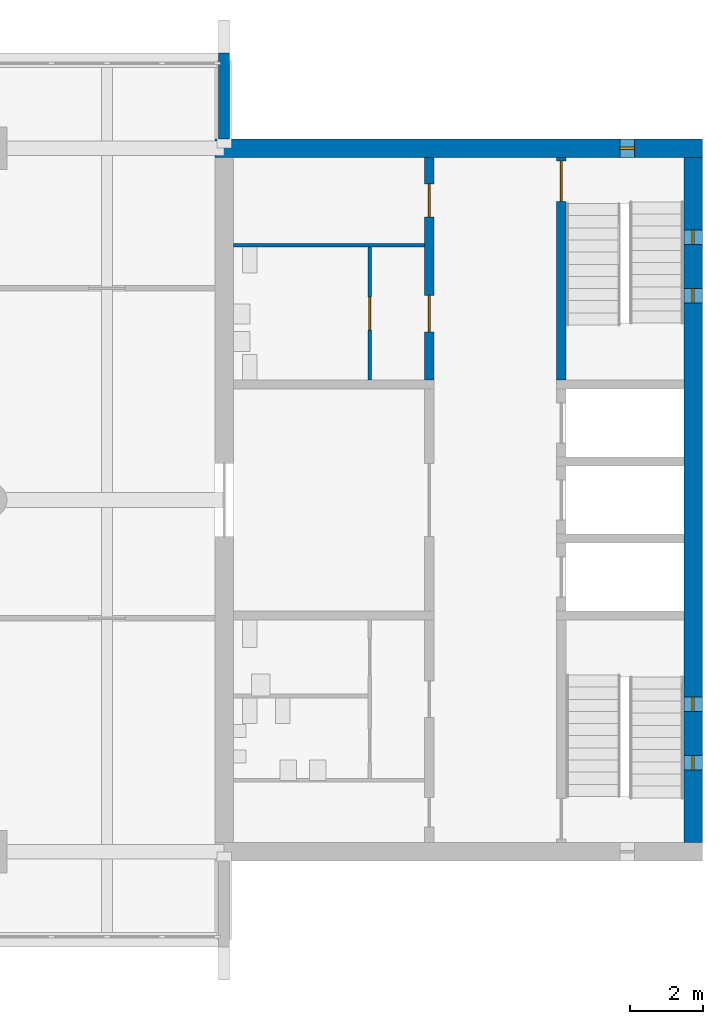
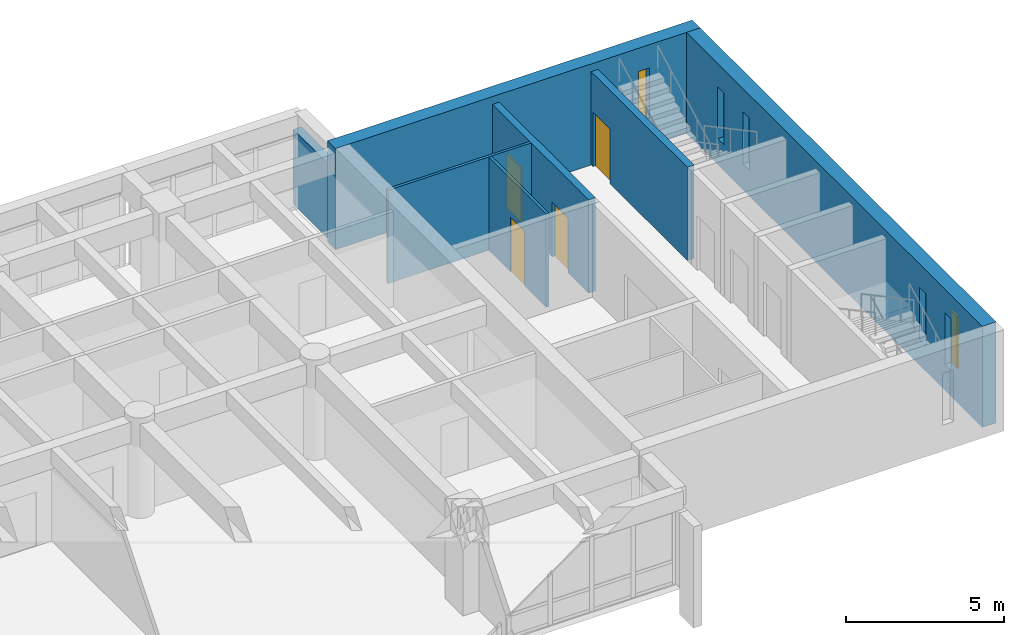
# One storey, part 12 of 15: 7 walls, 5 windows, 4 doors, 9 openings.
"""IFC4 building model written with IfcOpenShell, lengths in metres."""

from ifc_helpers import new_model, si_unit, direction, frame, frame_2d, origin, place, context, subcontext, project, spatial, rectangle, extrude, material, layer, layer_set, type_object, element, fill, save


model = new_model("IFC4")

# Units and contexts
model_context = context("Model", 3, precision=1e-05, world=origin(), true_north=direction((0.0, 1.0)))
body_context = subcontext(model_context, "Body", "Model", "MODEL_VIEW")
ifc_project = project(units=[si_unit("LENGTHUNIT", "METRE"), si_unit("AREAUNIT", "SQUARE_METRE"), si_unit("VOLUMEUNIT", "CUBIC_METRE"), si_unit("PLANEANGLEUNIT", "RADIAN"), si_unit("MASSUNIT", "GRAM", prefix="KILO")], contexts=[model_context])

# Site, building, storey
site_placement = place(None, origin())
site = spatial("IfcSite", under=ifc_project, at=site_placement, CompositionType="ELEMENT")
building_placement = place(site_placement, origin())
building = spatial("IfcBuilding", under=site, at=building_placement, Name="Fogon Plaza Fire Station and Headquarters Tower", CompositionType="ELEMENT")
storey_placement = place(building_placement, frame((0.0, 0.0, 40.5)))
storey = spatial("IfcBuildingStorey", under=building, at=storey_placement, Name="L10", CompositionType="ELEMENT", Elevation=40.5)

# Wall, opening, door
ifc_material_1 = material(Name="Concrete C40", Category="concrete")
ifc_layer_1 = layer(ifc_material_1, 0.25)
ifc_layer_set_1 = layer_set([ifc_layer_1], Name="Concrete C40")
wall_type_1 = type_object("IfcWallType", Name="Core Wall RC 250", PredefinedType="SOLIDWALL", material=ifc_layer_set_1)
wall_1_placement = place(storey_placement, frame((73.199951171875, 46.47509765625, 0.0), z_axis=(0.0, 0.0, 1.0), x_axis=(0.0, 1.0, 0.0)))
wall_1 = element("IfcWall", 1, at=wall_1_placement, inside=storey, type_object=wall_type_1, Name="Core B shaft wall", PredefinedType="SOLIDWALL", context=body_context, shape_type="SweptSolid", body=[
    extrude(rectangle(XDim=6.074951171875, YDim=0.25, at=frame_2d((3.03759765625, 0.0))), origin(), (0.0, 0.0, 1.0), 3.60009765625),
])
opening_1_placement = place(wall_1_placement, frame((4.875, 0.0, 0.0)))
opening_1 = element("IfcOpeningElement", 2, at=opening_1_placement, cuts=wall_1, Name="Opening L10-D16", PredefinedType="OPENING", context=body_context, shape_type="SweptSolid", body=[
    extrude(rectangle(XDim=1.10009765625, YDim=2.10009765625, at=frame_2d((0.550048828125, 1.050048828125))), frame((0.0, 0.135009765625, 0.0), z_axis=(0.0, -1.0, 0.0), x_axis=(1.0, 0.0, 0.0)), (0.0, 0.0, 1.0), 0.27001953125),
])
ifc_material_2 = material(Name="Steel Fire Door Leaf", Category="steel")
door_type_1 = type_object("IfcDoorType", Name="Stair Door Single 1100x2100", OperationType="SINGLE_SWING_LEFT", PredefinedType="DOOR", material=ifc_material_2)
door_1_placement = place(opening_1_placement, frame((1.10009765625, 0.0, 0.0), z_axis=(0.0, 0.0, 1.0), x_axis=(-1.0, 0.0, 0.0)))
door_1 = element("IfcDoor", 3, at=door_1_placement, inside=storey, type_object=door_type_1, Name="Stair door ST4", OperationType="SINGLE_SWING_LEFT", OverallHeight=2.10009765625, OverallWidth=1.10009765625, PredefinedType="DOOR", context=body_context, shape_type="SweptSolid", body=[
    extrude(rectangle(XDim=1.10009765625, YDim=2.10009765625, at=frame_2d((0.550048828125, 1.050048828125))), frame((0.0, 0.02490234375, 0.0), z_axis=(0.0, -1.0, 0.0), x_axis=(1.0, 0.0, 0.0)), (0.0, 0.0, 1.0), 0.050048828125),
])
fill(opening_1, door_1)

# Wall, openings, doors
wall_2_placement = place(storey_placement, frame((69.60009765625, 46.47509765625, 0.0), z_axis=(0.0, 0.0, 1.0), x_axis=(0.0, 1.0, 0.0)))
wall_2 = element("IfcWall", 4, at=wall_2_placement, inside=storey, type_object=wall_type_1, Name="Core B shaft wall", PredefinedType="SOLIDWALL", context=body_context, shape_type="SweptSolid", body=[
    extrude(rectangle(XDim=6.074951171875, YDim=0.25, at=frame_2d((3.03759765625, 0.0))), origin(), (0.0, 0.0, 1.0), 3.60009765625),
])
opening_2_placement = place(wall_2_placement, frame((1.3125, 0.0, 0.0)))
opening_2 = element("IfcOpeningElement", 5, at=opening_2_placement, cuts=wall_2, Name="Opening L10-D26", PredefinedType="OPENING", context=body_context, shape_type="SweptSolid", body=[
    extrude(rectangle(XDim=1.0, YDim=2.10009765625, at=frame_2d((0.5, 1.050048828125))), frame((0.0, 0.135009765625, 0.0), z_axis=(0.0, -1.0, 0.0), x_axis=(1.0, 0.0, 0.0)), (0.0, 0.0, 1.0), 0.27001953125),
])
opening_3_placement = place(wall_2_placement, frame((4.449951171875, 0.0, 0.0)))
opening_3 = element("IfcOpeningElement", 6, at=opening_3_placement, cuts=wall_2, Name="Opening L10-D28", PredefinedType="OPENING", context=body_context, shape_type="SweptSolid", body=[
    extrude(rectangle(XDim=0.89990234375, YDim=2.10009765625, at=frame_2d((0.449951171875, 1.050048828125))), frame((0.0, 0.135009765625, 0.0), z_axis=(0.0, -1.0, 0.0), x_axis=(1.0, 0.0, 0.0)), (0.0, 0.0, 1.0), 0.27001953125),
])
ifc_material_3 = material(Name="Steel Fire Door Leaf", Category="steel")
door_type_2 = type_object("IfcDoorType", Name="Riser Single 900x2100", OperationType="SINGLE_SWING_LEFT", PredefinedType="DOOR", material=ifc_material_3)
door_2_placement = place(opening_3_placement, origin())
door_2 = element("IfcDoor", 7, at=door_2_placement, inside=storey, type_object=door_type_2, Name="Riser room B door", OperationType="SINGLE_SWING_RIGHT", OverallHeight=2.10009765625, OverallWidth=0.89990234375, PredefinedType="DOOR", context=body_context, shape_type="SweptSolid", body=[
    extrude(rectangle(XDim=0.89990234375, YDim=2.10009765625, at=frame_2d((0.449951171875, 1.050048828125))), frame((0.0, 0.02490234375, 0.0), z_axis=(0.0, -1.0, 0.0), x_axis=(1.0, 0.0, 0.0)), (0.0, 0.0, 1.0), 0.050048828125),
])
fill(opening_3, door_2)
ifc_material_4 = material(Name="Timber fire door", Category="wood")
door_type_3 = type_object("IfcDoorType", Name="WC Lobby Single 1000x2100", OperationType="SINGLE_SWING_LEFT", PredefinedType="DOOR", material=ifc_material_4)
door_3_placement = place(opening_2_placement, origin())
door_3 = element("IfcDoor", 8, at=door_3_placement, inside=storey, type_object=door_type_3, Name="Women's WC lobby B door", OperationType="SINGLE_SWING_RIGHT", OverallHeight=2.10009765625, OverallWidth=1.0, PredefinedType="DOOR", context=body_context, shape_type="SweptSolid", body=[
    extrude(rectangle(XDim=1.0, YDim=2.10009765625, at=frame_2d((0.5, 1.050048828125))), frame((0.0, 0.02490234375, 0.0), z_axis=(0.0, -1.0, 0.0), x_axis=(1.0, 0.0, 0.0)), (0.0, 0.0, 1.0), 0.050048828125),
])
fill(opening_2, door_3)

# Wall
ifc_material_5 = material(Name="Concrete C40", Category="concrete")
ifc_layer_2 = layer(ifc_material_5, 0.300048828125)
ifc_layer_set_2 = layer_set([ifc_layer_2], Name="Concrete C40")
wall_type_2 = type_object("IfcWallType", Name="Fair-faced RC Return Panel 300", PredefinedType="SOLIDWALL", material=ifc_layer_set_2)
wall_3_placement = place(storey_placement, frame((64.0, 53.050048828125, 0.0), z_axis=(0.0, 0.0, 1.0), x_axis=(0.0, 1.0, 0.0)))
element("IfcWall", 9, at=wall_3_placement, inside=storey, type_object=wall_type_2, Name="Bar end return EN L10", PredefinedType="SOLIDWALL", context=body_context, shape_type="SweptSolid", body=[
    extrude(rectangle(XDim=2.349853515625, YDim=0.300048828125, at=frame_2d((1.1748046875, 0.0))), origin(), (0.0, 0.0, 1.0), 2.8798828125),
])

# Wall, opening, door
ifc_material_6 = material(Name="Blockwork", Category="masonry")
ifc_layer_3 = layer(ifc_material_6, 0.10009765625)
ifc_layer_set_3 = layer_set([ifc_layer_3], Name="Blockwork")
wall_type_3 = type_object("IfcWallType", Name="Partition Blockwork 100", PredefinedType="PARTITIONING", material=ifc_layer_set_3)
wall_4_placement = place(storey_placement, frame((67.97509765625, 46.47509765625, 0.0), z_axis=(0.0, 0.0, 1.0), x_axis=(0.0, 1.0, 0.0)))
wall_4 = element("IfcWall", 10, at=wall_4_placement, inside=storey, type_object=wall_type_3, Name="WC block partition", PredefinedType="PARTITIONING", context=body_context, shape_type="SweptSolid", body=[
    extrude(rectangle(XDim=3.625, YDim=0.10009765625, at=frame_2d((1.8125, 0.0))), origin(), (0.0, 0.0, 1.0), 3.60009765625),
])
opening_4_placement = place(wall_4_placement, frame((1.362548828125, 0.0, 0.0)))
opening_4 = element("IfcOpeningElement", 11, at=opening_4_placement, cuts=wall_4, Name="Opening L10-D27", PredefinedType="OPENING", context=body_context, shape_type="SweptSolid", body=[
    extrude(rectangle(XDim=0.89990234375, YDim=2.10009765625, at=frame_2d((0.449951171875, 1.050048828125))), frame((0.0, 0.06005859375, 0.0), z_axis=(0.0, -1.0, 0.0), x_axis=(1.0, 0.0, 0.0)), (0.0, 0.0, 1.0), 0.1201171875),
])
ifc_material_7 = material(Name="Timber Door Leaf", Category="wood")
door_type_4 = type_object("IfcDoorType", Name="WC Single 900x2100", OperationType="SINGLE_SWING_LEFT", PredefinedType="DOOR", material=ifc_material_7)
door_4_placement = place(opening_4_placement, origin())
door_4 = element("IfcDoor", 12, at=door_4_placement, inside=storey, type_object=door_type_4, Name="Women's WC B door", OperationType="SINGLE_SWING_LEFT", OverallHeight=2.10009765625, OverallWidth=0.89990234375, PredefinedType="DOOR", context=body_context, shape_type="SweptSolid", body=[
    extrude(rectangle(XDim=0.89990234375, YDim=2.10009765625, at=frame_2d((0.449951171875, 1.050048828125))), frame((0.0, 0.02490234375, 0.0), z_axis=(0.0, -1.0, 0.0), x_axis=(1.0, 0.0, 0.0)), (0.0, 0.0, 1.0), 0.050048828125),
])
fill(opening_4, door_4)

# Wall
ifc_material_8 = material(Name="Blockwork", Category="masonry")
ifc_layer_4 = layer(ifc_material_8, 0.10009765625)
ifc_layer_set_4 = layer_set([ifc_layer_4], Name="Blockwork")
wall_type_4 = type_object("IfcWallType", Name="Riser Partition Blockwork 100", PredefinedType="PARTITIONING", material=ifc_layer_set_4)
wall_5_placement = place(storey_placement, frame((69.47509765625, 50.14990234375, 0.0), z_axis=(0.0, 0.0, 1.0), x_axis=(-1.0, 0.0, 0.0)))
element("IfcWall", 13, at=wall_5_placement, inside=storey, type_object=wall_type_4, Name="Riser room partition", PredefinedType="PARTITIONING", context=body_context, shape_type="SweptSolid", body=[
    extrude(rectangle(XDim=5.22509765625, YDim=0.10009765625, at=frame_2d((2.612548828125, 0.0))), origin(), (0.0, 0.0, 1.0), 3.60009765625),
])

# Wall, opening, window
ifc_material_9 = material(Name="Concrete C40", Category="concrete")
ifc_layer_5 = layer(ifc_material_9, 0.5)
ifc_layer_set_5 = layer_set([ifc_layer_5], Name="Concrete C40")
wall_type_5 = type_object("IfcWallType", Name="Shear wall 500 SW50", PredefinedType="SHEAR", material=ifc_layer_set_5)
wall_6_placement = place(storey_placement, frame((63.75, 52.800048828125, 0.0), z_axis=(0.0, 0.0, 1.0), x_axis=(1.0, 0.0, 0.0)))
wall_6 = element("IfcWall", 14, at=wall_6_placement, inside=storey, type_object=wall_type_5, Name="wall-coreB-N-L10", PredefinedType="SHEAR", context=body_context, shape_type="SweptSolid", body=[
    extrude(rectangle(XDim=13.300048828125, YDim=0.5, at=frame_2d((6.64990234375, 0.0))), origin(), (0.0, 0.0, 1.0), 3.89990234375),
])
opening_5_placement = place(wall_6_placement, frame((11.050048828125, 0.0, 1.0)))
opening_5 = element("IfcOpeningElement", 15, at=opening_5_placement, cuts=wall_6, Name="Opening WS1", PredefinedType="OPENING", context=body_context, shape_type="SweptSolid", body=[
    extrude(rectangle(XDim=0.39990234375, YDim=2.0, at=frame_2d((0.199951171875, 1.0))), frame((0.0, 0.260009765625, 0.0), z_axis=(0.0, -1.0, 0.0), x_axis=(1.0, 0.0, 0.0)), (0.0, 0.0, 1.0), 0.52001953125),
])
ifc_material_10 = material(Name="Aluminium framed double glazing", Category="aluminium")
window_type = type_object("IfcWindowType", Name="Slit Window WS1 400x2000", PartitioningType="SINGLE_PANEL", PredefinedType="WINDOW", material=ifc_material_10)
window_1_placement = place(opening_5_placement, origin())
window_1 = element("IfcWindow", 16, at=window_1_placement, inside=storey, type_object=window_type, Name="Slit window B6 L10", OverallHeight=2.0, OverallWidth=0.39990234375, PartitioningType="SINGLE_PANEL", PredefinedType="WINDOW", context=body_context, shape_type="SweptSolid", body=[
    extrude(rectangle(XDim=0.39990234375, YDim=2.0, at=frame_2d((0.199951171875, 1.0))), frame((0.0, 0.030029296875, 0.0), z_axis=(0.0, -1.0, 0.0), x_axis=(1.0, 0.0, 0.0)), (0.0, 0.0, 1.0), 0.06005859375),
])
fill(opening_5, window_1)

# Wall, openings, windows
wall_7_placement = place(storey_placement, frame((76.800048828125, 33.85009765625, 0.0), z_axis=(0.0, 0.0, 1.0), x_axis=(0.0, 1.0, 0.0)))
wall_7 = element("IfcWall", 17, at=wall_7_placement, inside=storey, type_object=wall_type_5, Name="wall-coreB-E-L10", PredefinedType="SHEAR", context=body_context, shape_type="SweptSolid", body=[
    extrude(rectangle(XDim=18.699951171875, YDim=0.5, at=frame_2d((9.35009765625, 0.0))), origin(), (0.0, 0.0, 1.0), 3.89990234375),
])
opening_6_placement = place(wall_7_placement, frame((1.97509765625, 0.0, 1.0)))
opening_6 = element("IfcOpeningElement", 18, at=opening_6_placement, cuts=wall_7, Name="Opening WS1", PredefinedType="OPENING", context=body_context, shape_type="SweptSolid", body=[
    extrude(rectangle(XDim=0.39990234375, YDim=2.0, at=frame_2d((0.199951171875, 1.0))), frame((0.0, 0.260009765625, 0.0), z_axis=(0.0, -1.0, 0.0), x_axis=(1.0, 0.0, 0.0)), (0.0, 0.0, 1.0), 0.52001953125),
])
opening_7_placement = place(wall_7_placement, frame((3.574951171875, 0.0, 1.0)))
opening_7 = element("IfcOpeningElement", 19, at=opening_7_placement, cuts=wall_7, Name="Opening WS1", PredefinedType="OPENING", context=body_context, shape_type="SweptSolid", body=[
    extrude(rectangle(XDim=0.39990234375, YDim=2.0, at=frame_2d((0.199951171875, 1.0))), frame((0.0, 0.260009765625, 0.0), z_axis=(0.0, -1.0, 0.0), x_axis=(1.0, 0.0, 0.0)), (0.0, 0.0, 1.0), 0.52001953125),
])
opening_8_placement = place(wall_7_placement, frame((14.72509765625, 0.0, 1.0)))
opening_8 = element("IfcOpeningElement", 20, at=opening_8_placement, cuts=wall_7, Name="Opening WS1", PredefinedType="OPENING", context=body_context, shape_type="SweptSolid", body=[
    extrude(rectangle(XDim=0.39990234375, YDim=2.0, at=frame_2d((0.199951171875, 1.0))), frame((0.0, 0.260009765625, 0.0), z_axis=(0.0, -1.0, 0.0), x_axis=(1.0, 0.0, 0.0)), (0.0, 0.0, 1.0), 0.52001953125),
])
opening_9_placement = place(wall_7_placement, frame((16.324951171875, 0.0, 1.0)))
opening_9 = element("IfcOpeningElement", 21, at=opening_9_placement, cuts=wall_7, Name="Opening WS1", PredefinedType="OPENING", context=body_context, shape_type="SweptSolid", body=[
    extrude(rectangle(XDim=0.39990234375, YDim=2.0, at=frame_2d((0.199951171875, 1.0))), frame((0.0, 0.260009765625, 0.0), z_axis=(0.0, -1.0, 0.0), x_axis=(1.0, 0.0, 0.0)), (0.0, 0.0, 1.0), 0.52001953125),
])
window_2_placement = place(opening_6_placement, origin())
window_2 = element("IfcWindow", 22, at=window_2_placement, inside=storey, type_object=window_type, Name="Slit window B1 L10", OverallHeight=2.0, OverallWidth=0.39990234375, PartitioningType="SINGLE_PANEL", PredefinedType="WINDOW", context=body_context, shape_type="SweptSolid", body=[
    extrude(rectangle(XDim=0.39990234375, YDim=2.0, at=frame_2d((0.199951171875, 1.0))), frame((0.0, 0.030029296875, 0.0), z_axis=(0.0, -1.0, 0.0), x_axis=(1.0, 0.0, 0.0)), (0.0, 0.0, 1.0), 0.06005859375),
])
fill(opening_6, window_2)
window_3_placement = place(opening_7_placement, origin())
window_3 = element("IfcWindow", 23, at=window_3_placement, inside=storey, type_object=window_type, Name="Slit window B2 L10", OverallHeight=2.0, OverallWidth=0.39990234375, PartitioningType="SINGLE_PANEL", PredefinedType="WINDOW", context=body_context, shape_type="SweptSolid", body=[
    extrude(rectangle(XDim=0.39990234375, YDim=2.0, at=frame_2d((0.199951171875, 1.0))), frame((0.0, 0.030029296875, 0.0), z_axis=(0.0, -1.0, 0.0), x_axis=(1.0, 0.0, 0.0)), (0.0, 0.0, 1.0), 0.06005859375),
])
fill(opening_7, window_3)
window_4_placement = place(opening_8_placement, origin())
window_4 = element("IfcWindow", 24, at=window_4_placement, inside=storey, type_object=window_type, Name="Slit window B3 L10", OverallHeight=2.0, OverallWidth=0.39990234375, PartitioningType="SINGLE_PANEL", PredefinedType="WINDOW", context=body_context, shape_type="SweptSolid", body=[
    extrude(rectangle(XDim=0.39990234375, YDim=2.0, at=frame_2d((0.199951171875, 1.0))), frame((0.0, 0.030029296875, 0.0), z_axis=(0.0, -1.0, 0.0), x_axis=(1.0, 0.0, 0.0)), (0.0, 0.0, 1.0), 0.06005859375),
])
fill(opening_8, window_4)
window_5_placement = place(opening_9_placement, origin())
window_5 = element("IfcWindow", 25, at=window_5_placement, inside=storey, type_object=window_type, Name="Slit window B4 L10", OverallHeight=2.0, OverallWidth=0.39990234375, PartitioningType="SINGLE_PANEL", PredefinedType="WINDOW", context=body_context, shape_type="SweptSolid", body=[
    extrude(rectangle(XDim=0.39990234375, YDim=2.0, at=frame_2d((0.199951171875, 1.0))), frame((0.0, 0.030029296875, 0.0), z_axis=(0.0, -1.0, 0.0), x_axis=(1.0, 0.0, 0.0)), (0.0, 0.0, 1.0), 0.06005859375),
])
fill(opening_9, window_5)

save(model, "model.ifc")
